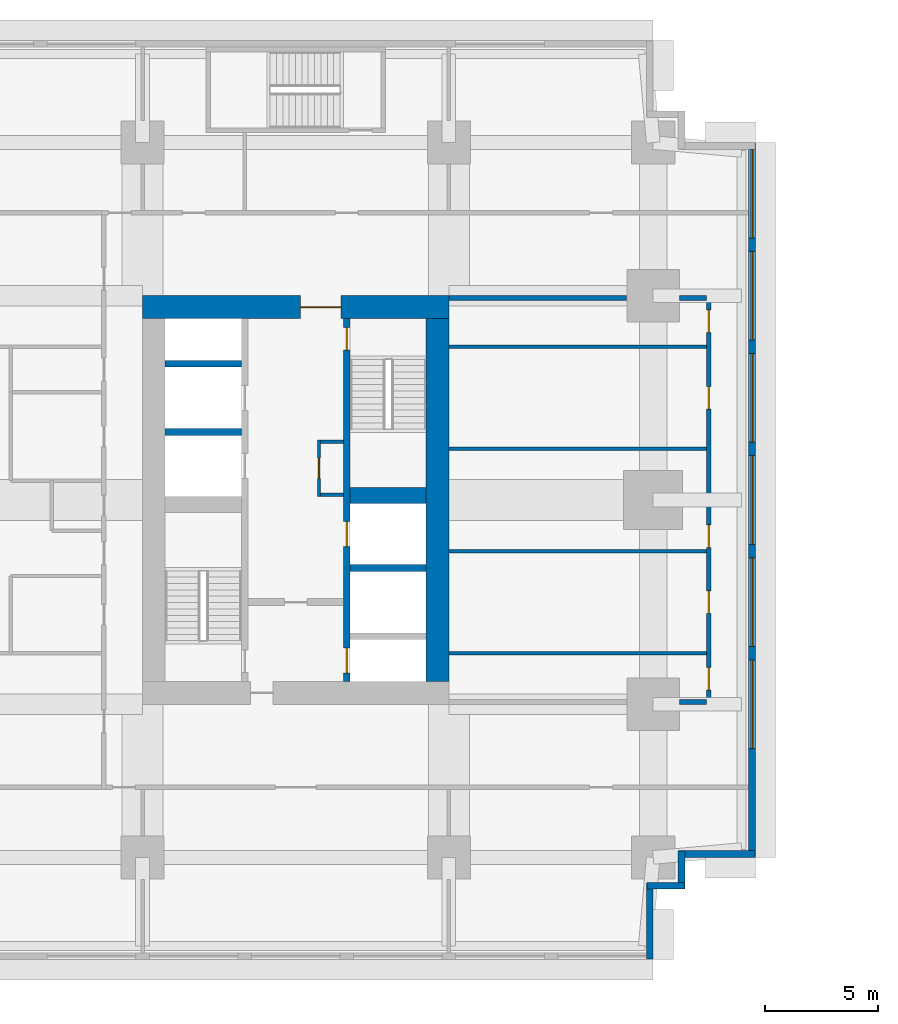
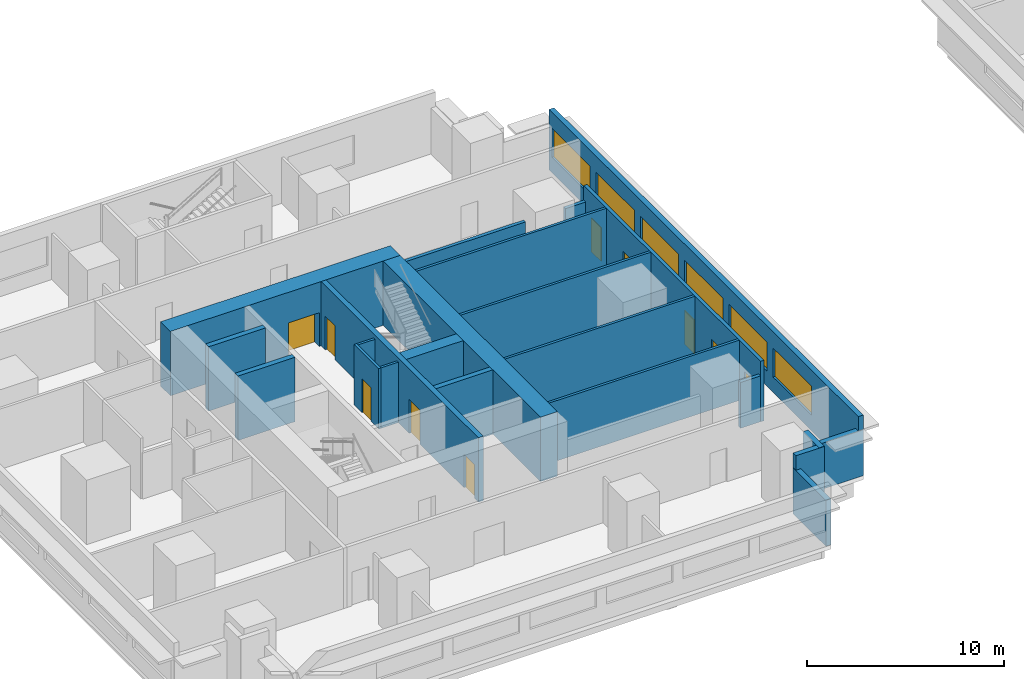
# One storey, part 4 of 11: 23 walls, 10 doors, 6 windows, 16 openings.
"""IFC4 building model written with IfcOpenShell, lengths in metres."""

from ifc_helpers import new_model, si_unit, direction, frame, frame_2d, origin, place, context, subcontext, project, spatial, rectangle, extrude, material, layer, layer_set, type_object, element, fill, save


model = new_model("IFC4")

# Units and contexts
model_context = context("Model", 3, precision=1e-05, world=origin(), true_north=direction((0.0, 1.0)))
body_context = subcontext(model_context, "Body", "Model", "MODEL_VIEW")
ifc_project = project(units=[si_unit("LENGTHUNIT", "METRE"), si_unit("AREAUNIT", "SQUARE_METRE"), si_unit("VOLUMEUNIT", "CUBIC_METRE"), si_unit("PLANEANGLEUNIT", "RADIAN"), si_unit("MASSUNIT", "GRAM", prefix="KILO")], contexts=[model_context])

# Site, building, storey
site_placement = place(None, origin())
site = spatial("IfcSite", under=ifc_project, at=site_placement, CompositionType="ELEMENT")
building_placement = place(site_placement, origin())
building = spatial("IfcBuilding", under=site, at=building_placement, Name="Namib Vertical Campus", CompositionType="ELEMENT")
storey_placement = place(building_placement, frame((0.0, 0.0, 89.0)))
storey = spatial("IfcBuildingStorey", under=building, at=storey_placement, Name="L20", CompositionType="ELEMENT", Elevation=89.0)

# Wall, openings, doors
ifc_material_1 = material(Name="Concrete C60/75", Category="concrete")
ifc_layer_1 = layer(ifc_material_1, 0.300048828125)
ifc_layer_set_1 = layer_set([ifc_layer_1], Name="Concrete C60/75")
wall_type_1 = type_object("IfcWallType", Name="Core inner wall 300", PredefinedType="SHEAR", material=ifc_layer_set_1)
wall_1_placement = place(storey_placement, frame((22.5, 12.25, 0.0), z_axis=(0.0, 0.0, 1.0), x_axis=(0.0, 1.0, 0.0)))
wall_1 = element("IfcWall", 1, at=wall_1_placement, inside=storey, type_object=wall_type_1, Name="Core inner wall A L20 W2", PredefinedType="SHEAR", context=body_context, shape_type="SweptSolid", body=[
    extrude(rectangle(XDim=16.0, YDim=0.300048828125, at=frame_2d((8.0, 0.0))), origin(), (0.0, 0.0, 1.0), 4.0),
])
opening_1_placement = place(wall_1_placement, frame((14.60009765625, 0.0, 0.0)))
opening_1 = element("IfcOpeningElement", 2, at=opening_1_placement, cuts=wall_1, Name="Opening FD1", PredefinedType="OPENING", context=body_context, shape_type="SweptSolid", body=[
    extrude(rectangle(XDim=1.0, YDim=2.10009765625, at=frame_2d((0.5, 1.050048828125))), frame((0.0, 0.159912109375, 0.0), z_axis=(0.0, -1.0, 0.0), x_axis=(1.0, 0.0, 0.0)), (0.0, 0.0, 1.0), 0.320068359375),
])
opening_2_placement = place(wall_1_placement, frame((0.375, 0.0, 0.0)))
opening_2 = element("IfcOpeningElement", 3, at=opening_2_placement, cuts=wall_1, Name="Opening LD1", PredefinedType="OPENING", context=body_context, shape_type="SweptSolid", body=[
    extrude(rectangle(XDim=1.10009765625, YDim=2.10009765625, at=frame_2d((0.550048828125, 1.050048828125))), frame((0.0, 0.159912109375, 0.0), z_axis=(0.0, -1.0, 0.0), x_axis=(1.0, 0.0, 0.0)), (0.0, 0.0, 1.0), 0.320068359375),
])
opening_3_placement = place(wall_1_placement, frame((5.949951171875, 0.0, 0.0)))
opening_3 = element("IfcOpeningElement", 4, at=opening_3_placement, cuts=wall_1, Name="Opening LD1", PredefinedType="OPENING", context=body_context, shape_type="SweptSolid", body=[
    extrude(rectangle(XDim=1.10009765625, YDim=2.10009765625, at=frame_2d((0.550048828125, 1.050048828125))), frame((0.0, 0.159912109375, 0.0), z_axis=(0.0, -1.0, 0.0), x_axis=(1.0, 0.0, 0.0)), (0.0, 0.0, 1.0), 0.320068359375),
])
ifc_material_2 = material(Name="Steel fire door", Category="steel")
door_type_1 = type_object("IfcDoorType", Name="Fire door 1000x2100", OperationType="SINGLE_SWING_RIGHT", PredefinedType="DOOR", material=ifc_material_2)
door_1_placement = place(opening_1_placement, frame((1.0, 0.0, 0.0), z_axis=(0.0, 0.0, 1.0), x_axis=(-1.0, 0.0, 0.0)))
door_1 = element("IfcDoor", 5, at=door_1_placement, inside=storey, type_object=door_type_1, Name="Stair door FD1 A L20 S2", OperationType="SINGLE_SWING_LEFT", OverallHeight=2.10009765625, OverallWidth=1.0, PredefinedType="DOOR", context=body_context, shape_type="SweptSolid", body=[
    extrude(rectangle(XDim=1.0, YDim=2.10009765625, at=frame_2d((0.5, 1.050048828125))), frame((0.0, 0.02490234375, 0.0), z_axis=(0.0, -1.0, 0.0), x_axis=(1.0, 0.0, 0.0)), (0.0, 0.0, 1.0), 0.050048828125),
])
fill(opening_1, door_1)
ifc_material_3 = material(Name="Stainless steel lift door", Category="steel")
door_type_2 = type_object("IfcDoorType", Name="Lift landing door 1100x2100", OperationType="DOUBLE_DOOR_SLIDING", PredefinedType="DOOR", material=ifc_material_3)
door_2_placement = place(opening_2_placement, origin())
door_2 = element("IfcDoor", 6, at=door_2_placement, inside=storey, type_object=door_type_2, Name="Lift landing door LD1 A-FL1 L20", OperationType="DOUBLE_DOOR_SLIDING", OverallHeight=2.10009765625, OverallWidth=1.10009765625, PredefinedType="DOOR", context=body_context, shape_type="SweptSolid", body=[
    extrude(rectangle(XDim=1.10009765625, YDim=2.10009765625, at=frame_2d((0.550048828125, 1.050048828125))), frame((0.0, 0.02490234375, 0.0), z_axis=(0.0, -1.0, 0.0), x_axis=(1.0, 0.0, 0.0)), (0.0, 0.0, 1.0), 0.050048828125),
])
fill(opening_2, door_2)
door_3_placement = place(opening_3_placement, origin())
door_3 = element("IfcDoor", 7, at=door_3_placement, inside=storey, type_object=door_type_2, Name="Lift landing door LD1 A-P5 L20", OperationType="DOUBLE_DOOR_SLIDING", OverallHeight=2.10009765625, OverallWidth=1.10009765625, PredefinedType="DOOR", context=body_context, shape_type="SweptSolid", body=[
    extrude(rectangle(XDim=1.10009765625, YDim=2.10009765625, at=frame_2d((0.550048828125, 1.050048828125))), frame((0.0, 0.02490234375, 0.0), z_axis=(0.0, -1.0, 0.0), x_axis=(1.0, 0.0, 0.0)), (0.0, 0.0, 1.0), 0.050048828125),
])
fill(opening_3, door_3)

# Walls
for number, where, z_axis, x_axis, name in (
    (8, (22.64990234375, 17.25, 0.0), (0.0, 0.0, 1.0), (1.0, 0.0, 0.0), "Core inner wall A L20 W6"),
    (9, (14.5, 23.25, 0.0), (0.0, 0.0, 1.0), (1.0, 0.0, 0.0), "Core inner wall A L20 W8"),
    (10, (14.5, 26.25, 0.0), (0.0, 0.0, 1.0), (1.0, 0.0, 0.0), "Core inner wall A L20 W9"),
):
    element("IfcWall", number, at=place(storey_placement, frame(where, z_axis=z_axis, x_axis=x_axis)), inside=storey, type_object=wall_type_1, Name=name, PredefinedType="SHEAR", context=body_context, shape_type="SweptSolid", body=[
        extrude(rectangle(XDim=3.35009765625, YDim=0.300048828125, at=frame_2d((1.675048828125, 0.0))), origin(), (0.0, 0.0, 1.0), 4.0),
    ])
ifc_material_4 = material(Name="Concrete C60/75", Category="concrete")
ifc_layer_2 = layer(ifc_material_4, 0.699951171875)
ifc_layer_set_2 = layer_set([ifc_layer_2], Name="Concrete C60/75")
wall_type_2 = type_object("IfcWallType", Name="Core shear wall 700", PredefinedType="SHEAR", material=ifc_layer_set_2)
wall_2_placement = place(storey_placement, frame((22.64990234375, 20.449951171875, 0.0), z_axis=(0.0, 0.0, 1.0), x_axis=(1.0, 0.0, 0.0)))
element("IfcWall", 11, at=wall_2_placement, inside=storey, type_object=wall_type_2, Name="Core shear wall A L20 W7", PredefinedType="SHEAR", context=body_context, shape_type="SweptSolid", body=[
    extrude(rectangle(XDim=3.35009765625, YDim=0.699951171875, at=frame_2d((1.675048828125, 0.0))), origin(), (0.0, 0.0, 1.0), 4.0),
])
ifc_material_5 = material(Name="Concrete C60/75", Category="concrete")
ifc_layer_3 = layer(ifc_material_5, 1.0)
ifc_layer_set_3 = layer_set([ifc_layer_3], Name="Concrete C60/75")
wall_type_3 = type_object("IfcWallType", Name="Core wall 1000", PredefinedType="SHEAR", material=ifc_layer_set_3)
wall_3_placement = place(storey_placement, frame((26.5, 12.25, 0.0), z_axis=(0.0, 0.0, 1.0), x_axis=(0.0, 1.0, 0.0)))
element("IfcWall", 12, at=wall_3_placement, inside=storey, type_object=wall_type_3, Name="Core wall A L20 2", PredefinedType="SHEAR", context=body_context, shape_type="SweptSolid", body=[
    extrude(rectangle(XDim=16.0, YDim=1.0, at=frame_2d((8.0, 0.0))), origin(), (0.0, 0.0, 1.0), 4.0),
])

# Wall, opening, door
wall_4_placement = place(storey_placement, frame((27.0, 28.75, 0.0), z_axis=(0.0, 0.0, 1.0), x_axis=(-1.0, 0.0, 0.0)))
wall_4 = element("IfcWall", 13, at=wall_4_placement, inside=storey, type_object=wall_type_3, Name="Core wall A L20 3", PredefinedType="SHEAR", context=body_context, shape_type="SweptSolid", body=[
    extrude(rectangle(XDim=13.5, YDim=1.0, at=frame_2d((6.75, 0.0))), origin(), (0.0, 0.0, 1.0), 4.0),
])
opening_4_placement = place(wall_4_placement, frame((4.75, 0.0, 0.0)))
opening_4 = element("IfcOpeningElement", 14, at=opening_4_placement, cuts=wall_4, Name="Opening FD2", PredefinedType="OPENING", context=body_context, shape_type="SweptSolid", body=[
    extrude(rectangle(XDim=1.800048828125, YDim=2.10009765625, at=frame_2d((0.89990234375, 1.050048828125))), frame((0.0, 0.510009765625, 0.0), z_axis=(0.0, -1.0, 0.0), x_axis=(1.0, 0.0, 0.0)), (0.0, 0.0, 1.0), 1.02001953125),
])
ifc_material_6 = material(Name="Steel fire door", Category="steel")
door_type_3 = type_object("IfcDoorType", Name="Fire door double 1800x2100", OperationType="DOUBLE_DOOR_SINGLE_SWING", PredefinedType="DOOR", material=ifc_material_6)
door_4_placement = place(opening_4_placement, origin())
door_4 = element("IfcDoor", 15, at=door_4_placement, inside=storey, type_object=door_type_3, Name="Lift lobby door FD2 A L20", OperationType="DOUBLE_DOOR_SINGLE_SWING", OverallHeight=2.10009765625, OverallWidth=1.800048828125, PredefinedType="DOOR", context=body_context, shape_type="SweptSolid", body=[
    extrude(rectangle(XDim=1.800048828125, YDim=2.10009765625, at=frame_2d((0.89990234375, 1.050048828125))), frame((0.0, 0.02490234375, 0.0), z_axis=(0.0, -1.0, 0.0), x_axis=(1.0, 0.0, 0.0)), (0.0, 0.0, 1.0), 0.050048828125),
])
fill(opening_4, door_4)

# Wall, openings, doors
ifc_material_7 = material(Name="Concrete masonry", Category="masonry")
ifc_layer_4 = layer(ifc_material_7, 0.199951171875)
ifc_layer_set_4 = layer_set([ifc_layer_4], Name="Corridor wall 200")
wall_type_4 = type_object("IfcWallType", Name="Corridor wall 200", PredefinedType="SOLIDWALL", material=ifc_layer_set_4)
wall_5_placement = place(storey_placement, frame((38.449951171875, 11.25, 0.0), z_axis=(0.0, 0.0, 1.0), x_axis=(0.0, 1.0, 0.0)))
wall_5 = element("IfcWall", 16, at=wall_5_placement, inside=storey, type_object=wall_type_4, Name="Corridor wall A L20 CG", PredefinedType="SOLIDWALL", context=body_context, shape_type="SweptSolid", body=[
    extrude(rectangle(XDim=18.0, YDim=0.199951171875, at=frame_2d((9.0, 0.0))), origin(), (0.0, 0.0, 1.0), 3.75),
])
opening_5_placement = place(wall_5_placement, frame((0.625, 0.0, 0.0)))
opening_5 = element("IfcOpeningElement", 17, at=opening_5_placement, cuts=wall_5, Name="Opening CD1", PredefinedType="OPENING", context=body_context, shape_type="SweptSolid", body=[
    extrude(rectangle(XDim=1.0, YDim=2.10009765625, at=frame_2d((0.5, 1.050048828125))), frame((0.0, 0.10986328125, 0.0), z_axis=(0.0, -1.0, 0.0), x_axis=(1.0, 0.0, 0.0)), (0.0, 0.0, 1.0), 0.219970703125),
])
opening_6_placement = place(wall_5_placement, frame((4.0, 0.0, 0.0)))
opening_6 = element("IfcOpeningElement", 18, at=opening_6_placement, cuts=wall_5, Name="Opening CD1", PredefinedType="OPENING", context=body_context, shape_type="SweptSolid", body=[
    extrude(rectangle(XDim=1.0, YDim=2.10009765625, at=frame_2d((0.5, 1.050048828125))), frame((0.0, 0.10986328125, 0.0), z_axis=(0.0, -1.0, 0.0), x_axis=(1.0, 0.0, 0.0)), (0.0, 0.0, 1.0), 0.219970703125),
])
opening_7_placement = place(wall_5_placement, frame((6.89990234375, 0.0, 0.0)))
opening_7 = element("IfcOpeningElement", 19, at=opening_7_placement, cuts=wall_5, Name="Opening CD1", PredefinedType="OPENING", context=body_context, shape_type="SweptSolid", body=[
    extrude(rectangle(XDim=1.0, YDim=2.10009765625, at=frame_2d((0.5, 1.050048828125))), frame((0.0, 0.10986328125, 0.0), z_axis=(0.0, -1.0, 0.0), x_axis=(1.0, 0.0, 0.0)), (0.0, 0.0, 1.0), 0.219970703125),
])
opening_8_placement = place(wall_5_placement, frame((13.0, 0.0, 0.0)))
opening_8 = element("IfcOpeningElement", 20, at=opening_8_placement, cuts=wall_5, Name="Opening CD1", PredefinedType="OPENING", context=body_context, shape_type="SweptSolid", body=[
    extrude(rectangle(XDim=1.0, YDim=2.10009765625, at=frame_2d((0.5, 1.050048828125))), frame((0.0, 0.10986328125, 0.0), z_axis=(0.0, -1.0, 0.0), x_axis=(1.0, 0.0, 0.0)), (0.0, 0.0, 1.0), 0.219970703125),
])
opening_9_placement = place(wall_5_placement, frame((16.375, 0.0, 0.0)))
opening_9 = element("IfcOpeningElement", 21, at=opening_9_placement, cuts=wall_5, Name="Opening CD1", PredefinedType="OPENING", context=body_context, shape_type="SweptSolid", body=[
    extrude(rectangle(XDim=1.0, YDim=2.10009765625, at=frame_2d((0.5, 1.050048828125))), frame((0.0, 0.10986328125, 0.0), z_axis=(0.0, -1.0, 0.0), x_axis=(1.0, 0.0, 0.0)), (0.0, 0.0, 1.0), 0.219970703125),
])
ifc_material_8 = material(Name="Timber fire door leaf", Category="wood")
door_type_4 = type_object("IfcDoorType", Name="Corridor door 1000x2100 20 min", OperationType="SINGLE_SWING_LEFT", PredefinedType="DOOR", material=ifc_material_8)
door_5_placement = place(opening_5_placement, origin())
door_5 = element("IfcDoor", 22, at=door_5_placement, inside=storey, type_object=door_type_4, Name="Door CD1 A20-04", OperationType="SINGLE_SWING_LEFT", OverallHeight=2.10009765625, OverallWidth=1.0, PredefinedType="DOOR", context=body_context, shape_type="SweptSolid", body=[
    extrude(rectangle(XDim=1.0, YDim=2.10009765625, at=frame_2d((0.5, 1.050048828125))), frame((0.0, 0.02490234375, 0.0), z_axis=(0.0, -1.0, 0.0), x_axis=(1.0, 0.0, 0.0)), (0.0, 0.0, 1.0), 0.050048828125),
])
fill(opening_5, door_5)
door_6_placement = place(opening_6_placement, origin())
door_6 = element("IfcDoor", 23, at=door_6_placement, inside=storey, type_object=door_type_4, Name="Door CD1 A20-05", OperationType="SINGLE_SWING_LEFT", OverallHeight=2.10009765625, OverallWidth=1.0, PredefinedType="DOOR", context=body_context, shape_type="SweptSolid", body=[
    extrude(rectangle(XDim=1.0, YDim=2.10009765625, at=frame_2d((0.5, 1.050048828125))), frame((0.0, 0.02490234375, 0.0), z_axis=(0.0, -1.0, 0.0), x_axis=(1.0, 0.0, 0.0)), (0.0, 0.0, 1.0), 0.050048828125),
])
fill(opening_6, door_6)
door_7_placement = place(opening_7_placement, origin())
door_7 = element("IfcDoor", 24, at=door_7_placement, inside=storey, type_object=door_type_4, Name="Door CD1 A20-06", OperationType="SINGLE_SWING_LEFT", OverallHeight=2.10009765625, OverallWidth=1.0, PredefinedType="DOOR", context=body_context, shape_type="SweptSolid", body=[
    extrude(rectangle(XDim=1.0, YDim=2.10009765625, at=frame_2d((0.5, 1.050048828125))), frame((0.0, 0.02490234375, 0.0), z_axis=(0.0, -1.0, 0.0), x_axis=(1.0, 0.0, 0.0)), (0.0, 0.0, 1.0), 0.050048828125),
])
fill(opening_7, door_7)
door_8_placement = place(opening_8_placement, origin())
door_8 = element("IfcDoor", 25, at=door_8_placement, inside=storey, type_object=door_type_4, Name="Door CD1 A20-07", OperationType="SINGLE_SWING_LEFT", OverallHeight=2.10009765625, OverallWidth=1.0, PredefinedType="DOOR", context=body_context, shape_type="SweptSolid", body=[
    extrude(rectangle(XDim=1.0, YDim=2.10009765625, at=frame_2d((0.5, 1.050048828125))), frame((0.0, 0.02490234375, 0.0), z_axis=(0.0, -1.0, 0.0), x_axis=(1.0, 0.0, 0.0)), (0.0, 0.0, 1.0), 0.050048828125),
])
fill(opening_8, door_8)
door_9_placement = place(opening_9_placement, origin())
door_9 = element("IfcDoor", 26, at=door_9_placement, inside=storey, type_object=door_type_4, Name="Door CD1 A20-08", OperationType="SINGLE_SWING_LEFT", OverallHeight=2.10009765625, OverallWidth=1.0, PredefinedType="DOOR", context=body_context, shape_type="SweptSolid", body=[
    extrude(rectangle(XDim=1.0, YDim=2.10009765625, at=frame_2d((0.5, 1.050048828125))), frame((0.0, 0.02490234375, 0.0), z_axis=(0.0, -1.0, 0.0), x_axis=(1.0, 0.0, 0.0)), (0.0, 0.0, 1.0), 0.050048828125),
])
fill(opening_9, door_9)

# Walls
wall_6_placement = place(storey_placement, frame((37.169921875, 11.35009765625, 0.0), z_axis=(0.0, 0.0, 1.0), x_axis=(1.0, 0.0, 0.0)))
element("IfcWall", 27, at=wall_6_placement, inside=storey, type_object=wall_type_4, Name="Corridor wall A L20 GS", PredefinedType="SOLIDWALL", context=body_context, shape_type="SweptSolid", body=[
    extrude(rectangle(XDim=1.18017578125, YDim=0.199951171875, at=frame_2d((0.590087890625, 0.0))), origin(), (0.0, 0.0, 1.0), 2.85009765625),
])
wall_7_placement = place(storey_placement, frame((27.0, 29.14990234375, 0.0), z_axis=(0.0, 0.0, 1.0), x_axis=(1.0, 0.0, 0.0)))
element("IfcWall", 28, at=wall_7_placement, inside=storey, type_object=wall_type_4, Name="Corridor wall A L20 GN", PredefinedType="SOLIDWALL", context=body_context, shape_type="SweptSolid", body=[
    extrude(rectangle(XDim=7.830078125, YDim=0.199951171875, at=frame_2d((3.9150390625, 0.0))), origin(), (0.0, 0.0, 1.0), 2.85009765625),
])
wall_8_placement = place(storey_placement, frame((37.169921875, 29.14990234375, 0.0), z_axis=(0.0, 0.0, 1.0), x_axis=(1.0, 0.0, 0.0)))
element("IfcWall", 29, at=wall_8_placement, inside=storey, type_object=wall_type_4, Name="Corridor wall A L20 GN", PredefinedType="SOLIDWALL", context=body_context, shape_type="SweptSolid", body=[
    extrude(rectangle(XDim=1.18017578125, YDim=0.199951171875, at=frame_2d((0.590087890625, 0.0))), origin(), (0.0, 0.0, 1.0), 2.85009765625),
])
ifc_material_9 = material(Name="Concrete C40/50", Category="concrete")
ifc_layer_5 = layer(ifc_material_9, 0.300048828125)
ifc_layer_set_5 = layer_set([ifc_layer_5], Name="Concrete C40/50")
wall_type_5 = type_object("IfcWallType", Name="External wall 300 board-marked concrete", PredefinedType="STANDARD", material=ifc_layer_set_5)
wall_9_placement = place(storey_placement, frame((35.85009765625, 0.02001953125, 0.0), z_axis=(0.0, 0.0, 1.0), x_axis=(0.0, 1.0, 0.0)))
element("IfcWall", 30, at=wall_9_placement, inside=storey, type_object=wall_type_5, Name="External wall L20 F02", PredefinedType="STANDARD", context=body_context, shape_type="SweptSolid", body=[
    extrude(rectangle(XDim=3.35986328125, YDim=0.300048828125, at=frame_2d((1.679931640625, 0.0))), origin(), (0.0, 0.0, 1.0), 2.85009765625),
])
for number, where, z_axis, x_axis, name in (
    (31, (35.719970703125, 3.25, 0.0), (0.0, 0.0, 1.0), (1.0, 0.0, 0.0), "External wall L20 F03"),
    (32, (37.25, 3.1201171875, 0.0), (0.0, 0.0, 1.0), (0.0, 1.0, 0.0), "External wall L20 F04"),
):
    element("IfcWall", number, at=place(storey_placement, frame(where, z_axis=z_axis, x_axis=x_axis)), inside=storey, type_object=wall_type_5, Name=name, PredefinedType="STANDARD", context=body_context, shape_type="SweptSolid", body=[
        extrude(rectangle(XDim=1.659912109375, YDim=0.300048828125, at=frame_2d((0.830078125, 0.0))), origin(), (0.0, 0.0, 1.0), 3.75),
    ])
wall_10_placement = place(storey_placement, frame((37.1201171875, 4.64990234375, 0.0), z_axis=(0.0, 0.0, 1.0), x_axis=(1.0, 0.0, 0.0)))
element("IfcWall", 33, at=wall_10_placement, inside=storey, type_object=wall_type_5, Name="External wall L20 F05", PredefinedType="STANDARD", context=body_context, shape_type="SweptSolid", body=[
    extrude(rectangle(XDim=3.35986328125, YDim=0.300048828125, at=frame_2d((1.679931640625, 0.0))), origin(), (0.0, 0.0, 1.0), 2.85009765625),
])

# Wall, openings, windows
wall_11_placement = place(storey_placement, frame((40.35009765625, 4.52001953125, 0.0), z_axis=(0.0, 0.0, 1.0), x_axis=(0.0, 1.0, 0.0)))
wall_11 = element("IfcWall", 34, at=wall_11_placement, inside=storey, type_object=wall_type_5, Name="External wall L20 F06", PredefinedType="STANDARD", context=body_context, shape_type="SweptSolid", body=[
    extrude(rectangle(XDim=31.4599609375, YDim=0.300048828125, at=frame_2d((15.72998046875, 0.0))), origin(), (0.0, 0.0, 1.0), 3.75),
])
opening_10_placement = place(wall_11_placement, frame((4.780029296875, 0.0, 0.949951171875)))
opening_10 = element("IfcOpeningElement", 35, at=opening_10_placement, cuts=wall_11, Name="Opening W3", PredefinedType="OPENING", context=body_context, shape_type="SweptSolid", body=[
    extrude(rectangle(XDim=3.89990234375, YDim=1.800048828125, at=frame_2d((1.949951171875, 0.89990234375))), frame((0.0, 0.159912109375, 0.0), z_axis=(0.0, -1.0, 0.0), x_axis=(1.0, 0.0, 0.0)), (0.0, 0.0, 1.0), 0.320068359375),
])
opening_11_placement = place(wall_11_placement, frame((9.280029296875, 0.0, 0.949951171875)))
opening_11 = element("IfcOpeningElement", 36, at=opening_11_placement, cuts=wall_11, Name="Opening W3", PredefinedType="OPENING", context=body_context, shape_type="SweptSolid", body=[
    extrude(rectangle(XDim=3.89990234375, YDim=1.800048828125, at=frame_2d((1.949951171875, 0.89990234375))), frame((0.0, 0.159912109375, 0.0), z_axis=(0.0, -1.0, 0.0), x_axis=(1.0, 0.0, 0.0)), (0.0, 0.0, 1.0), 0.320068359375),
])
opening_12_placement = place(wall_11_placement, frame((13.780029296875, 0.0, 0.949951171875)))
opening_12 = element("IfcOpeningElement", 37, at=opening_12_placement, cuts=wall_11, Name="Opening W3", PredefinedType="OPENING", context=body_context, shape_type="SweptSolid", body=[
    extrude(rectangle(XDim=3.89990234375, YDim=1.800048828125, at=frame_2d((1.949951171875, 0.89990234375))), frame((0.0, 0.159912109375, 0.0), z_axis=(0.0, -1.0, 0.0), x_axis=(1.0, 0.0, 0.0)), (0.0, 0.0, 1.0), 0.320068359375),
])
opening_13_placement = place(wall_11_placement, frame((18.280029296875, 0.0, 0.949951171875)))
opening_13 = element("IfcOpeningElement", 38, at=opening_13_placement, cuts=wall_11, Name="Opening W3", PredefinedType="OPENING", context=body_context, shape_type="SweptSolid", body=[
    extrude(rectangle(XDim=3.89990234375, YDim=1.800048828125, at=frame_2d((1.949951171875, 0.89990234375))), frame((0.0, 0.159912109375, 0.0), z_axis=(0.0, -1.0, 0.0), x_axis=(1.0, 0.0, 0.0)), (0.0, 0.0, 1.0), 0.320068359375),
])
opening_14_placement = place(wall_11_placement, frame((22.780029296875, 0.0, 0.949951171875)))
opening_14 = element("IfcOpeningElement", 39, at=opening_14_placement, cuts=wall_11, Name="Opening W3", PredefinedType="OPENING", context=body_context, shape_type="SweptSolid", body=[
    extrude(rectangle(XDim=3.89990234375, YDim=1.800048828125, at=frame_2d((1.949951171875, 0.89990234375))), frame((0.0, 0.159912109375, 0.0), z_axis=(0.0, -1.0, 0.0), x_axis=(1.0, 0.0, 0.0)), (0.0, 0.0, 1.0), 0.320068359375),
])
opening_15_placement = place(wall_11_placement, frame((27.280029296875, 0.0, 0.949951171875)))
opening_15 = element("IfcOpeningElement", 40, at=opening_15_placement, cuts=wall_11, Name="Opening W3", PredefinedType="OPENING", context=body_context, shape_type="SweptSolid", body=[
    extrude(rectangle(XDim=3.89990234375, YDim=1.800048828125, at=frame_2d((1.949951171875, 0.89990234375))), frame((0.0, 0.159912109375, 0.0), z_axis=(0.0, -1.0, 0.0), x_axis=(1.0, 0.0, 0.0)), (0.0, 0.0, 1.0), 0.320068359375),
])
ifc_material_10 = material(Name="Dark tinted glass in black aluminium frame", Category="aluminium")
window_type = type_object("IfcWindowType", Name="Ribbon window 3900x1800", PartitioningType="SINGLE_PANEL", PredefinedType="WINDOW", material=ifc_material_10)
window_1_placement = place(opening_10_placement, origin())
window_1 = element("IfcWindow", 41, at=window_1_placement, inside=storey, type_object=window_type, Name="Window W3 L20 F06-2", OverallHeight=1.800048828125, OverallWidth=3.89990234375, PartitioningType="SINGLE_PANEL", PredefinedType="WINDOW", context=body_context, shape_type="SweptSolid", body=[
    extrude(rectangle(XDim=3.89990234375, YDim=1.800048828125, at=frame_2d((1.949951171875, 0.89990234375))), frame((0.0, 0.030029296875, 0.0), z_axis=(0.0, -1.0, 0.0), x_axis=(1.0, 0.0, 0.0)), (0.0, 0.0, 1.0), 0.06005859375),
])
fill(opening_10, window_1)
window_2_placement = place(opening_11_placement, origin())
window_2 = element("IfcWindow", 42, at=window_2_placement, inside=storey, type_object=window_type, Name="Window W3 L20 F06-3", OverallHeight=1.800048828125, OverallWidth=3.89990234375, PartitioningType="SINGLE_PANEL", PredefinedType="WINDOW", context=body_context, shape_type="SweptSolid", body=[
    extrude(rectangle(XDim=3.89990234375, YDim=1.800048828125, at=frame_2d((1.949951171875, 0.89990234375))), frame((0.0, 0.030029296875, 0.0), z_axis=(0.0, -1.0, 0.0), x_axis=(1.0, 0.0, 0.0)), (0.0, 0.0, 1.0), 0.06005859375),
])
fill(opening_11, window_2)
window_3_placement = place(opening_12_placement, origin())
window_3 = element("IfcWindow", 43, at=window_3_placement, inside=storey, type_object=window_type, Name="Window W3 L20 F06-4", OverallHeight=1.800048828125, OverallWidth=3.89990234375, PartitioningType="SINGLE_PANEL", PredefinedType="WINDOW", context=body_context, shape_type="SweptSolid", body=[
    extrude(rectangle(XDim=3.89990234375, YDim=1.800048828125, at=frame_2d((1.949951171875, 0.89990234375))), frame((0.0, 0.030029296875, 0.0), z_axis=(0.0, -1.0, 0.0), x_axis=(1.0, 0.0, 0.0)), (0.0, 0.0, 1.0), 0.06005859375),
])
fill(opening_12, window_3)
window_4_placement = place(opening_13_placement, origin())
window_4 = element("IfcWindow", 44, at=window_4_placement, inside=storey, type_object=window_type, Name="Window W3 L20 F06-5", OverallHeight=1.800048828125, OverallWidth=3.89990234375, PartitioningType="SINGLE_PANEL", PredefinedType="WINDOW", context=body_context, shape_type="SweptSolid", body=[
    extrude(rectangle(XDim=3.89990234375, YDim=1.800048828125, at=frame_2d((1.949951171875, 0.89990234375))), frame((0.0, 0.030029296875, 0.0), z_axis=(0.0, -1.0, 0.0), x_axis=(1.0, 0.0, 0.0)), (0.0, 0.0, 1.0), 0.06005859375),
])
fill(opening_13, window_4)
window_5_placement = place(opening_14_placement, origin())
window_5 = element("IfcWindow", 45, at=window_5_placement, inside=storey, type_object=window_type, Name="Window W3 L20 F06-6", OverallHeight=1.800048828125, OverallWidth=3.89990234375, PartitioningType="SINGLE_PANEL", PredefinedType="WINDOW", context=body_context, shape_type="SweptSolid", body=[
    extrude(rectangle(XDim=3.89990234375, YDim=1.800048828125, at=frame_2d((1.949951171875, 0.89990234375))), frame((0.0, 0.030029296875, 0.0), z_axis=(0.0, -1.0, 0.0), x_axis=(1.0, 0.0, 0.0)), (0.0, 0.0, 1.0), 0.06005859375),
])
fill(opening_14, window_5)
window_6_placement = place(opening_15_placement, origin())
window_6 = element("IfcWindow", 46, at=window_6_placement, inside=storey, type_object=window_type, Name="Window W3 L20 F06-7", OverallHeight=1.800048828125, OverallWidth=3.89990234375, PartitioningType="SINGLE_PANEL", PredefinedType="WINDOW", context=body_context, shape_type="SweptSolid", body=[
    extrude(rectangle(XDim=3.89990234375, YDim=1.800048828125, at=frame_2d((1.949951171875, 0.89990234375))), frame((0.0, 0.030029296875, 0.0), z_axis=(0.0, -1.0, 0.0), x_axis=(1.0, 0.0, 0.0)), (0.0, 0.0, 1.0), 0.06005859375),
])
fill(opening_15, window_6)

# Wall, opening, door
ifc_material_11 = material(Name="Gypsum board on steel studs", Category="steel")
ifc_layer_6 = layer(ifc_material_11, 0.14990234375)
ifc_layer_set_6 = layer_set([ifc_layer_6], Name="Gypsum board on steel studs")
wall_type_6 = type_object("IfcWallType", Name="Partition 150", PredefinedType="PARTITIONING", material=ifc_layer_set_6)
wall_12_placement = place(storey_placement, frame((21.27490234375, 20.39990234375, 0.0), z_axis=(0.0, 0.0, 1.0), x_axis=(0.0, 1.0, 0.0)))
wall_12 = element("IfcWall", 47, at=wall_12_placement, inside=storey, type_object=wall_type_6, Name="Partition A L20 Cleaners' store front", PredefinedType="PARTITIONING", context=body_context, shape_type="SweptSolid", body=[
    extrude(rectangle(XDim=2.5, YDim=0.14990234375, at=frame_2d((1.25, 0.0))), origin(), (0.0, 0.0, 1.0), 3.75),
])
opening_16_placement = place(wall_12_placement, frame((0.800048828125, 0.0, 0.0)))
opening_16 = element("IfcOpeningElement", 48, at=opening_16_placement, cuts=wall_12, Name="Opening D3", PredefinedType="OPENING", context=body_context, shape_type="SweptSolid", body=[
    extrude(rectangle(XDim=0.89990234375, YDim=2.10009765625, at=frame_2d((0.449951171875, 1.050048828125))), frame((0.0, 0.0849609375, 0.0), z_axis=(0.0, -1.0, 0.0), x_axis=(1.0, 0.0, 0.0)), (0.0, 0.0, 1.0), 0.169921875),
])
ifc_material_12 = material(Name="Timber door leaf", Category="wood")
door_type_5 = type_object("IfcDoorType", Name="Toilet door 900x2100", OperationType="SINGLE_SWING_LEFT", PredefinedType="DOOR", material=ifc_material_12)
door_10_placement = place(opening_16_placement, frame((0.89990234375, 0.0, 0.0), z_axis=(0.0, 0.0, 1.0), x_axis=(-1.0, 0.0, 0.0)))
door_10 = element("IfcDoor", 49, at=door_10_placement, inside=storey, type_object=door_type_5, Name="Door D3 Cleaners' store A L20", OperationType="SINGLE_SWING_RIGHT", OverallHeight=2.10009765625, OverallWidth=0.89990234375, PredefinedType="DOOR", context=body_context, shape_type="SweptSolid", body=[
    extrude(rectangle(XDim=0.89990234375, YDim=2.10009765625, at=frame_2d((0.449951171875, 1.050048828125))), frame((0.0, 0.02490234375, 0.0), z_axis=(0.0, -1.0, 0.0), x_axis=(1.0, 0.0, 0.0)), (0.0, 0.0, 1.0), 0.050048828125),
])
fill(opening_16, door_10)

# Walls
for number, where, z_axis, x_axis, name in (
    (50, (21.35009765625, 20.47509765625, 0.0), (0.0, 0.0, 1.0), (1.0, 0.0, 0.0), "Partition A L20 Cleaners' store end 1"),
    (51, (21.35009765625, 22.824951171875, 0.0), (0.0, 0.0, 1.0), (1.0, 0.0, 0.0), "Partition A L20 Cleaners' store end 2"),
):
    element("IfcWall", number, at=place(storey_placement, frame(where, z_axis=z_axis, x_axis=x_axis)), inside=storey, type_object=wall_type_6, Name=name, PredefinedType="PARTITIONING", context=body_context, shape_type="SweptSolid", body=[
        extrude(rectangle(XDim=1.0, YDim=0.14990234375, at=frame_2d((0.5, 0.0))), origin(), (0.0, 0.0, 1.0), 3.75),
    ])
for number, where, z_axis, x_axis, name in (
    (52, (27.0, 13.5, 0.0), (0.0, 0.0, 1.0), (1.0, 0.0, 0.0), "Partition A L20 PE1"),
    (53, (27.0, 18.0, 0.0), (0.0, 0.0, 1.0), (1.0, 0.0, 0.0), "Partition A L20 PE2"),
    (54, (27.0, 22.5, 0.0), (0.0, 0.0, 1.0), (1.0, 0.0, 0.0), "Partition A L20 PE3"),
    (55, (27.0, 27.0, 0.0), (0.0, 0.0, 1.0), (1.0, 0.0, 0.0), "Partition A L20 PE4"),
):
    element("IfcWall", number, at=place(storey_placement, frame(where, z_axis=z_axis, x_axis=x_axis)), inside=storey, type_object=wall_type_6, Name=name, PredefinedType="PARTITIONING", context=body_context, shape_type="SweptSolid", body=[
        extrude(rectangle(XDim=11.35009765625, YDim=0.14990234375, at=frame_2d((5.675048828125, 0.0))), origin(), (0.0, 0.0, 1.0), 3.75),
    ])

save(model, "model.ifc")
